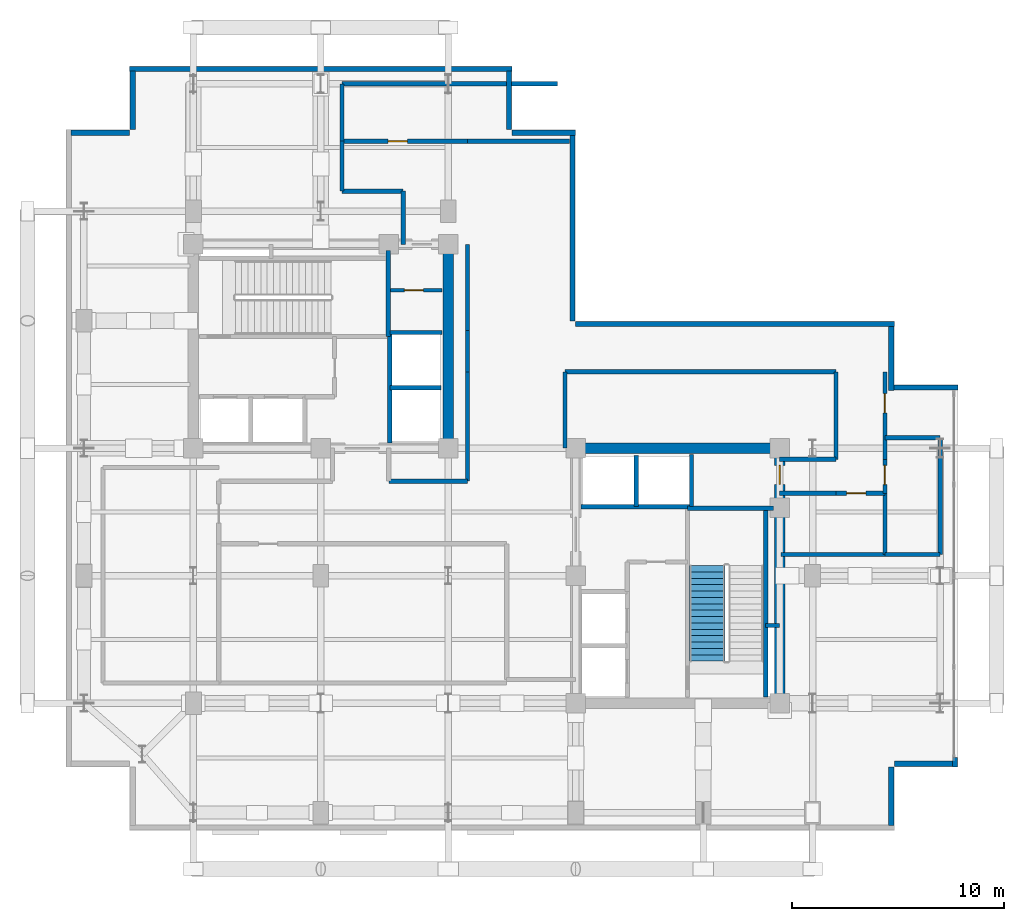
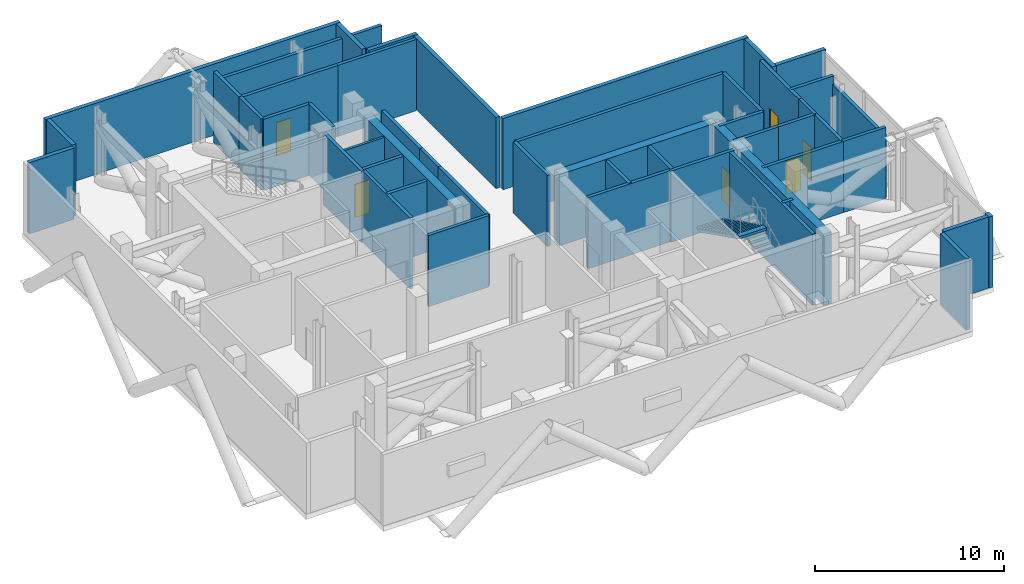
# One storey, part 6 of 8: 50 walls, 6 doors, 1 stair flight, 6 openings, 1 element without a shape of its own.
"""IFC4 building model written with IfcOpenShell, lengths in metres."""

from ifc_helpers import new_model, si_unit, direction, frame, frame_2d, origin, place, context, subcontext, project, spatial, polyline, rectangle, outline, extrude, material, layer, layer_set, type_object, element, fill, aggregate, save


model = new_model("IFC4")

# Units and contexts
model_context = context("Model", 3, precision=1e-05, world=origin(), true_north=direction((0.0, 1.0)))
body_context = subcontext(model_context, "Body", "Model", "MODEL_VIEW")
ifc_project = project(units=[si_unit("LENGTHUNIT", "METRE"), si_unit("AREAUNIT", "SQUARE_METRE"), si_unit("VOLUMEUNIT", "CUBIC_METRE"), si_unit("PLANEANGLEUNIT", "RADIAN"), si_unit("MASSUNIT", "GRAM", prefix="KILO"), si_unit("THERMODYNAMICTEMPERATUREUNIT", "KELVIN"), si_unit("POWERUNIT", "WATT")], contexts=[model_context])

# Site, building, storey
site_placement = place(None, origin())
site = spatial("IfcSite", under=ifc_project, at=site_placement, CompositionType="ELEMENT")
building_placement = place(site_placement, origin())
building = spatial("IfcBuilding", under=site, at=building_placement, Name="Svarakhadi Broadcast Tower", CompositionType="ELEMENT")
storey_placement = place(building_placement, frame((0.0, 0.0, 234.89990234375)))
storey = spatial("IfcBuildingStorey", under=building, at=storey_placement, Name="L58", CompositionType="ELEMENT", Elevation=234.89990234375)

# Walls
ifc_material_1 = material(Name="Concrete C40/50 (IS 456 M50)", Category="concrete")
ifc_layer_1 = layer(ifc_material_1, 0.239990234375)
ifc_layer_set_1 = layer_set([ifc_layer_1], Name="Concrete C40/50 (IS 456 M50)")
wall_type_1 = type_object("IfcWallType", Name="Wall_Ext_240", PredefinedType="SOLIDWALL", material=ifc_layer_set_1)
wall_1_placement = place(storey_placement, frame((3.0, 35.85009765625, 0.0), z_axis=(0.0, 0.0, 1.0), x_axis=(1.0, 0.0, 0.0)))
element("IfcWall", 1, at=wall_1_placement, inside=storey, type_object=wall_type_1, Name="L58 North Mechanical Acoustic Plant Wall", PredefinedType="SOLIDWALL", context=body_context, shape_type="SweptSolid", body=[
    extrude(rectangle(XDim=18.0, YDim=0.239990234375, at=frame_2d((9.0, 0.0))), origin(), (0.0, 0.0, 1.0), 4.60009765625),
])
for number, where, z_axis, x_axis, name in (
    (2, (0.2548828125, 32.85009765625, 0.0), (0.0, 0.0, 1.0), (1.0, 0.0, 0.0), "L58 Perimeter Bronze Spandrel Closure Wall 02"),
    (3, (3.14990234375, 33.0, 0.0), (0.0, 0.0, 1.0), (0.0, 1.0, 0.0), "L58 Perimeter Bronze Spandrel Closure Wall 03"),
    (4, (20.85009765625, 35.7451171875, 0.0), (0.0, 0.0, 1.0), (0.0, -1.0, 0.0), "L58 Perimeter Bronze Spandrel Closure Wall 04"),
):
    element("IfcWall", number, at=place(storey_placement, frame(where, z_axis=z_axis, x_axis=x_axis)), inside=storey, type_object=wall_type_1, Name=name, PredefinedType="SOLIDWALL", context=body_context, shape_type="SweptSolid", body=[
        extrude(rectangle(XDim=2.7451171875, YDim=0.239990234375, at=frame_2d((1.37255859375, 0.0))), origin(), (0.0, 0.0, 1.0), 4.60009765625),
    ])
wall_2_placement = place(storey_placement, frame((21.0, 32.85009765625, 0.0), z_axis=(0.0, 0.0, 1.0), x_axis=(1.0, 0.0, 0.0)))
element("IfcWall", 5, at=wall_2_placement, inside=storey, type_object=wall_type_1, Name="L58 Perimeter Bronze Spandrel Closure Wall 05", PredefinedType="SOLIDWALL", context=body_context, shape_type="SweptSolid", body=[
    extrude(rectangle(XDim=3.0, YDim=0.239990234375, at=frame_2d((1.5, 0.0))), origin(), (0.0, 0.0, 1.0), 4.60009765625),
])
wall_3_placement = place(storey_placement, frame((23.85009765625, 32.72509765625, 0.0), z_axis=(0.0, 0.0, 1.0), x_axis=(0.0, -1.0, 0.0)))
element("IfcWall", 6, at=wall_3_placement, inside=storey, type_object=wall_type_1, Name="L58 Perimeter Bronze Spandrel Closure Wall 06", PredefinedType="SOLIDWALL", context=body_context, shape_type="SweptSolid", body=[
    extrude(rectangle(XDim=8.72509765625, YDim=0.239990234375, at=frame_2d((4.362548828125, 0.0))), origin(), (0.0, 0.0, 1.0), 4.60009765625),
])
wall_4_placement = place(storey_placement, frame((24.0, 23.85009765625, 0.0), z_axis=(0.0, 0.0, 1.0), x_axis=(1.0, 0.0, 0.0)))
element("IfcWall", 7, at=wall_4_placement, inside=storey, type_object=wall_type_1, Name="L58 Perimeter Bronze Spandrel Closure Wall 07", PredefinedType="SOLIDWALL", context=body_context, shape_type="SweptSolid", body=[
    extrude(rectangle(XDim=15.0, YDim=0.239990234375, at=frame_2d((7.5, 0.0))), origin(), (0.0, 0.0, 1.0), 4.60009765625),
])
wall_5_placement = place(storey_placement, frame((38.85009765625, 23.72509765625, 0.0), z_axis=(0.0, 0.0, 1.0), x_axis=(0.0, -1.0, 0.0)))
element("IfcWall", 8, at=wall_5_placement, inside=storey, type_object=wall_type_1, Name="L58 Perimeter Bronze Spandrel Closure Wall 08", PredefinedType="SOLIDWALL", context=body_context, shape_type="SweptSolid", body=[
    extrude(rectangle(XDim=2.9951171875, YDim=0.239990234375, at=frame_2d((1.49755859375, 0.0))), origin(), (0.0, 0.0, 1.0), 4.60009765625),
])
wall_6_placement = place(storey_placement, frame((38.969970703125, 20.85009765625, 0.0), z_axis=(0.0, 0.0, 1.0), x_axis=(1.0, 0.0, 0.0)))
element("IfcWall", 9, at=wall_6_placement, inside=storey, type_object=wall_type_1, Name="L58 Perimeter Bronze Spandrel Closure Wall 09", PredefinedType="SOLIDWALL", context=body_context, shape_type="SweptSolid", body=[
    extrude(rectangle(XDim=3.030029296875, YDim=0.239990234375, at=frame_2d((1.51513671875, 0.0))), origin(), (0.0, 0.0, 1.0), 4.60009765625),
])
wall_7_placement = place(storey_placement, frame((41.85009765625, 3.43505859375, 0.0), z_axis=(0.0, 0.0, 1.0), x_axis=(0.0, -1.0, 0.0)))
element("IfcWall", 10, at=wall_7_placement, inside=storey, type_object=wall_type_1, Name="L58 Perimeter Bronze Spandrel Closure Wall 10", PredefinedType="SOLIDWALL", context=body_context, shape_type="SweptSolid", body=[
    extrude(rectangle(XDim=0.43505859375, YDim=0.239990234375, at=frame_2d((0.217529296875, 0.0))), origin(), (0.0, 0.0, 1.0), 4.60009765625),
])
wall_8_placement = place(storey_placement, frame((41.72509765625, 3.14990234375, 0.0), z_axis=(0.0, 0.0, 1.0), x_axis=(-1.0, 0.0, 0.0)))
element("IfcWall", 11, at=wall_8_placement, inside=storey, type_object=wall_type_1, Name="L58 Perimeter Bronze Spandrel Closure Wall 11", PredefinedType="SOLIDWALL", context=body_context, shape_type="SweptSolid", body=[
    extrude(rectangle(XDim=2.72509765625, YDim=0.239990234375, at=frame_2d((1.362548828125, 0.0))), origin(), (0.0, 0.0, 1.0), 4.60009765625),
])
wall_9_placement = place(storey_placement, frame((38.85009765625, 3.0, 0.0), z_axis=(0.0, 0.0, 1.0), x_axis=(0.0, -1.0, 0.0)))
element("IfcWall", 12, at=wall_9_placement, inside=storey, type_object=wall_type_1, Name="L58 Perimeter Bronze Spandrel Closure Wall 12", PredefinedType="SOLIDWALL", context=body_context, shape_type="SweptSolid", body=[
    extrude(rectangle(XDim=2.7451171875, YDim=0.239990234375, at=frame_2d((1.37255859375, 0.0))), origin(), (0.0, 0.0, 1.0), 4.60009765625),
])
ifc_layer_2 = layer(ifc_material_1, 0.199951171875)
ifc_layer_set_2 = layer_set([ifc_layer_2], Name="Concrete C40/50 (IS 456 M50)")
wall_type_2 = type_object("IfcWallType", Name="Wall_Fire_200", PredefinedType="SOLIDWALL", material=ifc_layer_set_2)
wall_10_placement = place(storey_placement, frame((32.93994140625, 9.659912109375, 0.0), z_axis=(0.0, 0.0, 1.0), x_axis=(1.0, 0.0, 0.0)))
element("IfcWall", 13, at=wall_10_placement, inside=storey, type_object=wall_type_2, Name="L58 HV Busduct Riser Shaft North Wall", PredefinedType="SOLIDWALL", context=body_context, shape_type="SweptSolid", body=[
    extrude(rectangle(XDim=0.64013671875, YDim=0.199951171875, at=frame_2d((0.320068359375, 0.0))), origin(), (0.0, 0.0, 1.0), 4.60009765625),
])
wall_11_placement = place(storey_placement, frame((15.199951171875, 16.449951171875, 0.0), z_axis=(0.0, 0.0, 1.0), x_axis=(1.0, 0.0, 0.0)))
element("IfcWall", 14, at=wall_11_placement, inside=storey, type_object=wall_type_2, Name="L58 Plant Service Corridor Wall", PredefinedType="SOLIDWALL", context=body_context, shape_type="SweptSolid", body=[
    extrude(rectangle(XDim=3.699951171875, YDim=0.199951171875, at=frame_2d((1.85009765625, 0.0))), origin(), (0.0, 0.0, 1.0), 4.60009765625),
])
wall_12_placement = place(storey_placement, frame((18.89990234375, 16.449951171875, 0.0), z_axis=(0.0, 0.0, 1.0), x_axis=(0.0, 1.0, 0.0)))
element("IfcWall", 15, at=wall_12_placement, inside=storey, type_object=wall_type_2, Name="L58 Plant Service Corridor Wall", PredefinedType="SOLIDWALL", context=body_context, shape_type="SweptSolid", body=[
    extrude(rectangle(XDim=5.150146484375, YDim=0.199951171875, at=frame_2d((2.5751953125, 0.0))), origin(), (0.0, 0.0, 1.0), 4.60009765625),
])
wall_13_placement = place(storey_placement, frame((18.89990234375, 21.60009765625, 0.0), z_axis=(0.0, 0.0, 1.0), x_axis=(0.0, 1.0, 0.0)))
element("IfcWall", 16, at=wall_13_placement, inside=storey, type_object=wall_type_2, Name="L58 Plant Service Corridor Wall", PredefinedType="SOLIDWALL", context=body_context, shape_type="SweptSolid", body=[
    extrude(rectangle(XDim=1.949951171875, YDim=0.199951171875, at=frame_2d((0.97509765625, 0.0))), origin(), (0.0, 0.0, 1.0), 4.60009765625),
])
wall_14_placement = place(storey_placement, frame((18.89990234375, 23.550048828125, 0.0), z_axis=(0.0, 0.0, 1.0), x_axis=(0.0, 1.0, 0.0)))
element("IfcWall", 17, at=wall_14_placement, inside=storey, type_object=wall_type_2, Name="L58 Plant Service Corridor Wall", PredefinedType="SOLIDWALL", context=body_context, shape_type="SweptSolid", body=[
    extrude(rectangle(XDim=4.030029296875, YDim=0.199951171875, at=frame_2d((2.01513671875, 0.0))), origin(), (0.0, 0.0, 1.0), 4.60009765625),
])
wall_15_placement = place(storey_placement, frame((15.8798828125, 27.580078125, 0.0), z_axis=(0.0, 0.0, 1.0), x_axis=(0.0, 1.0, 0.0)))
element("IfcWall", 18, at=wall_15_placement, inside=storey, type_object=wall_type_2, Name="L58 Plant Service Corridor Wall", PredefinedType="SOLIDWALL", context=body_context, shape_type="SweptSolid", body=[
    extrude(rectangle(XDim=2.52001953125, YDim=0.199951171875, at=frame_2d((1.260009765625, 0.0))), origin(), (0.0, 0.0, 1.0), 4.60009765625),
])
wall_16_placement = place(storey_placement, frame((15.8798828125, 30.10009765625, 0.0), z_axis=(0.0, 0.0, 1.0), x_axis=(-1.0, 0.0, 0.0)))
element("IfcWall", 19, at=wall_16_placement, inside=storey, type_object=wall_type_2, Name="L58 Plant Service Corridor Wall", PredefinedType="SOLIDWALL", context=body_context, shape_type="SweptSolid", body=[
    extrude(rectangle(XDim=2.8798828125, YDim=0.199951171875, at=frame_2d((1.43994140625, 0.0))), origin(), (0.0, 0.0, 1.0), 4.60009765625),
])
wall_17_placement = place(storey_placement, frame((13.0, 30.10009765625, 0.0), z_axis=(0.0, 0.0, 1.0), x_axis=(0.0, 1.0, 0.0)))
element("IfcWall", 20, at=wall_17_placement, inside=storey, type_object=wall_type_2, Name="L58 Plant Service Corridor Wall", PredefinedType="SOLIDWALL", context=body_context, shape_type="SweptSolid", body=[
    extrude(rectangle(XDim=2.349853515625, YDim=0.199951171875, at=frame_2d((1.1748046875, 0.0))), origin(), (0.0, 0.0, 1.0), 4.60009765625),
])

# Wall, opening, door
wall_18_placement = place(storey_placement, frame((13.0, 32.449951171875, 0.0), z_axis=(0.0, 0.0, 1.0), x_axis=(1.0, 0.0, 0.0)))
wall_18 = element("IfcWall", 21, at=wall_18_placement, inside=storey, type_object=wall_type_2, Name="L58 Plant Service Corridor Wall", PredefinedType="SOLIDWALL", context=body_context, shape_type="SweptSolid", body=[
    extrude(rectangle(XDim=5.89990234375, YDim=0.199951171875, at=frame_2d((2.949951171875, 0.0))), origin(), (0.0, 0.0, 1.0), 4.60009765625),
])
opening_1_placement = place(wall_18_placement, frame((2.175048828125, 0.0, 0.0)))
opening_1 = element("IfcOpeningElement", 22, at=opening_1_placement, cuts=wall_18, Name="Opening D-03", PredefinedType="OPENING", context=body_context, shape_type="SweptSolid", body=[
    extrude(rectangle(XDim=0.89990234375, YDim=2.14990234375, at=frame_2d((0.449951171875, 1.074951171875))), frame((0.0, 0.10986328125, 0.0), z_axis=(0.0, -1.0, 0.0), x_axis=(1.0, 0.0, 0.0)), (0.0, 0.0, 1.0), 0.219970703125),
])
ifc_material_2 = material(Name="Galvanised Powder-Coated Fire-Rated Steel Leaf", Category="steel")
door_type_1 = type_object("IfcDoorType", Name="Door_Fire_D03", OperationType="SINGLE_SWING_LEFT", PredefinedType="DOOR", material=ifc_material_2)
door_1_placement = place(opening_1_placement, origin())
door_1 = element("IfcDoor", 23, at=door_1_placement, inside=storey, type_object=door_type_1, Name="L58 Pressurised Fire Refuge Area North Door", OperationType="SINGLE_SWING_LEFT", OverallHeight=2.14990234375, OverallWidth=0.89990234375, PredefinedType="DOOR", context=body_context, shape_type="SweptSolid", body=[
    extrude(rectangle(XDim=0.89990234375, YDim=2.14990234375, at=frame_2d((0.449951171875, 1.074951171875))), frame((0.0, 0.02490234375, 0.0), z_axis=(0.0, -1.0, 0.0), x_axis=(1.0, 0.0, 0.0)), (0.0, 0.0, 1.0), 0.050048828125),
])
fill(opening_1, door_1)

# Wall
wall_19_placement = place(storey_placement, frame((18.89990234375, 32.449951171875, 0.0), z_axis=(0.0, 0.0, 1.0), x_axis=(1.0, 0.0, 0.0)))
element("IfcWall", 24, at=wall_19_placement, inside=storey, type_object=wall_type_2, Name="L58 Plant Service Corridor Wall", PredefinedType="SOLIDWALL", context=body_context, shape_type="SweptSolid", body=[
    extrude(rectangle(XDim=4.800048828125, YDim=0.199951171875, at=frame_2d((2.39990234375, 0.0))), origin(), (0.0, 0.0, 1.0), 4.60009765625),
])

# Wall, opening, door
wall_20_placement = place(storey_placement, frame((38.550048828125, 21.60009765625, 0.0), z_axis=(0.0, 0.0, 1.0), x_axis=(0.0, -1.0, 0.0)))
wall_20 = element("IfcWall", 25, at=wall_20_placement, inside=storey, type_object=wall_type_2, Name="L58 Plant Service Corridor Wall", PredefinedType="SOLIDWALL", context=body_context, shape_type="SweptSolid", body=[
    extrude(rectangle(XDim=4.1201171875, YDim=0.199951171875, at=frame_2d((2.06005859375, 0.0))), origin(), (0.0, 0.0, 1.0), 4.60009765625),
])
opening_2_placement = place(wall_20_placement, frame((1.030029296875, 0.0, 0.0)))
opening_2 = element("IfcOpeningElement", 26, at=opening_2_placement, cuts=wall_20, Name="Opening D-04", PredefinedType="OPENING", context=body_context, shape_type="SweptSolid", body=[
    extrude(rectangle(XDim=0.89990234375, YDim=2.14990234375, at=frame_2d((0.449951171875, 1.074951171875))), frame((0.0, 0.10986328125, 0.0), z_axis=(0.0, -1.0, 0.0), x_axis=(1.0, 0.0, 0.0)), (0.0, 0.0, 1.0), 0.219970703125),
])
door_type_2 = type_object("IfcDoorType", Name="Door_Fire_D04", OperationType="SINGLE_SWING_RIGHT", PredefinedType="DOOR", material=ifc_material_2)
door_2_placement = place(opening_2_placement, origin())
door_2 = element("IfcDoor", 27, at=door_2_placement, inside=storey, type_object=door_type_2, Name="L58 Chilled Water Plate Heat Exchanger Plant Room Door", OperationType="SINGLE_SWING_RIGHT", OverallHeight=2.14990234375, OverallWidth=0.89990234375, PredefinedType="DOOR", context=body_context, shape_type="SweptSolid", body=[
    extrude(rectangle(XDim=0.89990234375, YDim=2.14990234375, at=frame_2d((0.449951171875, 1.074951171875))), frame((0.0, 0.02490234375, 0.0), z_axis=(0.0, -1.0, 0.0), x_axis=(1.0, 0.0, 0.0)), (0.0, 0.0, 1.0), 0.050048828125),
])
fill(opening_2, door_2)

wall_21_placement = place(storey_placement, frame((38.550048828125, 17.47998046875, 0.0), z_axis=(0.0, 0.0, 1.0), x_axis=(0.0, -1.0, 0.0)))
wall_21 = element("IfcWall", 28, at=wall_21_placement, inside=storey, type_object=wall_type_2, Name="L58 Plant Service Corridor Wall", PredefinedType="SOLIDWALL", context=body_context, shape_type="SweptSolid", body=[
    extrude(rectangle(XDim=1.60009765625, YDim=0.199951171875, at=frame_2d((0.800048828125, 0.0))), origin(), (0.0, 0.0, 1.0), 4.60009765625),
])
opening_3_placement = place(wall_21_placement, frame((0.2900390625, 0.0, 0.0)))
opening_3 = element("IfcOpeningElement", 29, at=opening_3_placement, cuts=wall_21, Name="Opening D-03", PredefinedType="OPENING", context=body_context, shape_type="SweptSolid", body=[
    extrude(rectangle(XDim=0.89990234375, YDim=2.14990234375, at=frame_2d((0.449951171875, 1.074951171875))), frame((0.0, 0.10986328125, 0.0), z_axis=(0.0, -1.0, 0.0), x_axis=(1.0, 0.0, 0.0)), (0.0, 0.0, 1.0), 0.219970703125),
])
door_3_placement = place(opening_3_placement, origin())
door_3 = element("IfcDoor", 30, at=door_3_placement, inside=storey, type_object=door_type_1, Name="L58 Pressurised Fire Refuge Area East Door", OperationType="SINGLE_SWING_LEFT", OverallHeight=2.14990234375, OverallWidth=0.89990234375, PredefinedType="DOOR", context=body_context, shape_type="SweptSolid", body=[
    extrude(rectangle(XDim=0.89990234375, YDim=2.14990234375, at=frame_2d((0.449951171875, 1.074951171875))), frame((0.0, 0.02490234375, 0.0), z_axis=(0.0, -1.0, 0.0), x_axis=(1.0, 0.0, 0.0)), (0.0, 0.0, 1.0), 0.050048828125),
])
fill(opening_3, door_3)

wall_22_placement = place(storey_placement, frame((38.550048828125, 15.8798828125, 0.0), z_axis=(0.0, 0.0, 1.0), x_axis=(-1.0, 0.0, 0.0)))
wall_22 = element("IfcWall", 31, at=wall_22_placement, inside=storey, type_object=wall_type_2, Name="L58 Plant Service Corridor Wall", PredefinedType="SOLIDWALL", context=body_context, shape_type="SweptSolid", body=[
    extrude(rectangle(XDim=2.300048828125, YDim=0.199951171875, at=frame_2d((1.14990234375, 0.0))), origin(), (0.0, 0.0, 1.0), 4.60009765625),
])
opening_4_placement = place(wall_22_placement, frame((0.89990234375, 0.0, 0.0)))
opening_4 = element("IfcOpeningElement", 32, at=opening_4_placement, cuts=wall_22, Name="Opening D-04", PredefinedType="OPENING", context=body_context, shape_type="SweptSolid", body=[
    extrude(rectangle(XDim=0.89990234375, YDim=2.14990234375, at=frame_2d((0.449951171875, 1.074951171875))), frame((0.0, 0.10986328125, 0.0), z_axis=(0.0, -1.0, 0.0), x_axis=(1.0, 0.0, 0.0)), (0.0, 0.0, 1.0), 0.219970703125),
])
door_4_placement = place(opening_4_placement, origin())
door_4 = element("IfcDoor", 33, at=door_4_placement, inside=storey, type_object=door_type_2, Name="L58 Stairwell Pressurisation Fan Plant Room Door", OperationType="SINGLE_SWING_RIGHT", OverallHeight=2.14990234375, OverallWidth=0.89990234375, PredefinedType="DOOR", context=body_context, shape_type="SweptSolid", body=[
    extrude(rectangle(XDim=0.89990234375, YDim=2.14990234375, at=frame_2d((0.449951171875, 1.074951171875))), frame((0.0, 0.02490234375, 0.0), z_axis=(0.0, -1.0, 0.0), x_axis=(1.0, 0.0, 0.0)), (0.0, 0.0, 1.0), 0.050048828125),
])
fill(opening_4, door_4)

# Walls
for number, where, z_axis, x_axis, name in (
    (34, (36.25, 15.8798828125, 0.0), (0.0, 0.0, 1.0), (-1.0, 0.0, 0.0), "L58 Plant Service Corridor Wall"),
    (35, (33.580078125, 17.47998046875, 0.0), (0.0, 0.0, 1.0), (1.0, 0.0, 0.0), "L58 Plant Service Corridor Wall"),
):
    element("IfcWall", number, at=place(storey_placement, frame(where, z_axis=z_axis, x_axis=x_axis)), inside=storey, type_object=wall_type_2, Name=name, PredefinedType="SOLIDWALL", context=body_context, shape_type="SweptSolid", body=[
        extrude(rectangle(XDim=2.669921875, YDim=0.199951171875, at=frame_2d((1.3349609375, 0.0))), origin(), (0.0, 0.0, 1.0), 4.60009765625),
    ])
wall_23_placement = place(storey_placement, frame((36.25, 17.47998046875, 0.0), z_axis=(0.0, 0.0, 1.0), x_axis=(0.0, 1.0, 0.0)))
element("IfcWall", 36, at=wall_23_placement, inside=storey, type_object=wall_type_2, Name="L58 Plant Service Corridor Wall", PredefinedType="SOLIDWALL", context=body_context, shape_type="SweptSolid", body=[
    extrude(rectangle(XDim=4.1201171875, YDim=0.199951171875, at=frame_2d((2.06005859375, 0.0))), origin(), (0.0, 0.0, 1.0), 4.60009765625),
])
wall_24_placement = place(storey_placement, frame((36.25, 21.60009765625, 0.0), z_axis=(0.0, 0.0, 1.0), x_axis=(-1.0, 0.0, 0.0)))
element("IfcWall", 37, at=wall_24_placement, inside=storey, type_object=wall_type_2, Name="L58 Plant Service Corridor Wall", PredefinedType="SOLIDWALL", context=body_context, shape_type="SweptSolid", body=[
    extrude(rectangle(XDim=12.75, YDim=0.199951171875, at=frame_2d((6.375, 0.0))), origin(), (0.0, 0.0, 1.0), 4.60009765625),
])
wall_25_placement = place(storey_placement, frame((23.5, 21.60009765625, 0.0), z_axis=(0.0, 0.0, 1.0), x_axis=(0.0, -1.0, 0.0)))
element("IfcWall", 38, at=wall_25_placement, inside=storey, type_object=wall_type_2, Name="L58 Plant Service Corridor Wall", PredefinedType="SOLIDWALL", context=body_context, shape_type="SweptSolid", body=[
    extrude(rectangle(XDim=3.580078125, YDim=0.199951171875, at=frame_2d((1.7900390625, 0.0))), origin(), (0.0, 0.0, 1.0), 4.60009765625),
])
for number, where, z_axis, x_axis, name in (
    (39, (38.550048828125, 13.0, 0.0), (0.0, 0.0, 1.0), (1.0, 0.0, 0.0), "L58 Pressurised Fire Refuge Area East Wall"),
    (40, (38.550048828125, 18.5, 0.0), (0.0, 0.0, 1.0), (1.0, 0.0, 0.0), "L58 Pressurised Fire Refuge Area East Wall"),
):
    element("IfcWall", number, at=place(storey_placement, frame(where, z_axis=z_axis, x_axis=x_axis)), inside=storey, type_object=wall_type_2, Name=name, PredefinedType="SOLIDWALL", context=body_context, shape_type="SweptSolid", body=[
        extrude(rectangle(XDim=2.599853515625, YDim=0.199951171875, at=frame_2d((1.2998046875, 0.0))), origin(), (0.0, 0.0, 1.0), 4.60009765625),
    ])
wall_26_placement = place(storey_placement, frame((41.14990234375, 13.0, 0.0), z_axis=(0.0, 0.0, 1.0), x_axis=(0.0, 1.0, 0.0)))
element("IfcWall", 41, at=wall_26_placement, inside=storey, type_object=wall_type_2, Name="L58 Pressurised Fire Refuge Area East Wall", PredefinedType="SOLIDWALL", context=body_context, shape_type="SweptSolid", body=[
    extrude(rectangle(XDim=5.5, YDim=0.199951171875, at=frame_2d((2.75, 0.0))), origin(), (0.0, 0.0, 1.0), 4.052001953125),
])
wall_27_placement = place(storey_placement, frame((13.0, 35.14990234375, 0.0), z_axis=(0.0, 0.0, 1.0), x_axis=(1.0, 0.0, 0.0)))
element("IfcWall", 42, at=wall_27_placement, inside=storey, type_object=wall_type_2, Name="L58 Pressurised Fire Refuge Area North Wall", PredefinedType="SOLIDWALL", context=body_context, shape_type="SweptSolid", body=[
    extrude(rectangle(XDim=10.14990234375, YDim=0.199951171875, at=frame_2d((5.074951171875, 0.0))), origin(), (0.0, 0.0, 1.0), 4.052001953125),
])
wall_28_placement = place(storey_placement, frame((13.0, 32.449951171875, 0.0), z_axis=(0.0, 0.0, 1.0), x_axis=(0.0, 1.0, 0.0)))
element("IfcWall", 43, at=wall_28_placement, inside=storey, type_object=wall_type_2, Name="L58 Pressurised Fire Refuge Area North Wall", PredefinedType="SOLIDWALL", context=body_context, shape_type="SweptSolid", body=[
    extrude(rectangle(XDim=2.699951171875, YDim=0.199951171875, at=frame_2d((1.35009765625, 0.0))), origin(), (0.0, 0.0, 1.0), 4.60009765625),
])
wall_29_placement = place(storey_placement, frame((33.64990234375, 13.0, 0.0), z_axis=(0.0, 0.0, 1.0), x_axis=(1.0, 0.0, 0.0)))
element("IfcWall", 44, at=wall_29_placement, inside=storey, type_object=wall_type_2, Name="L58 Stairwell Pressurisation Fan Plant Room Wall", PredefinedType="SOLIDWALL", context=body_context, shape_type="SweptSolid", body=[
    extrude(rectangle(XDim=4.900146484375, YDim=0.199951171875, at=frame_2d((2.4501953125, 0.0))), origin(), (0.0, 0.0, 1.0), 4.60009765625),
])
wall_30_placement = place(storey_placement, frame((38.550048828125, 13.0, 0.0), z_axis=(0.0, 0.0, 1.0), x_axis=(0.0, 1.0, 0.0)))
element("IfcWall", 45, at=wall_30_placement, inside=storey, type_object=wall_type_2, Name="L58 Stairwell Pressurisation Fan Plant Room Wall", PredefinedType="SOLIDWALL", context=body_context, shape_type="SweptSolid", body=[
    extrude(rectangle(XDim=2.8798828125, YDim=0.199951171875, at=frame_2d((1.43994140625, 0.0))), origin(), (0.0, 0.0, 1.0), 4.60009765625),
])

# Wall, opening, door
ifc_material_3 = material(Name="Autoclaved Aerated Concrete Blockwork 150 mm", Category="masonry")
ifc_layer_3 = layer(ifc_material_3, 0.14990234375)
ifc_layer_set_3 = layer_set([ifc_layer_3], Name="Autoclaved Aerated Concrete Blockwork 150 mm")
wall_type_3 = type_object("IfcWallType", Name="Wall_Part_150", PredefinedType="PARTITIONING", material=ifc_layer_set_3)
wall_31_placement = place(storey_placement, frame((15.280029296875, 25.43994140625, 0.0), z_axis=(0.0, 0.0, 1.0), x_axis=(1.0, 0.0, 0.0)))
wall_31 = element("IfcWall", 46, at=wall_31_placement, inside=storey, type_object=wall_type_3, Name="L58 West Core Service Split Wall", PredefinedType="PARTITIONING", context=body_context, shape_type="SweptSolid", body=[
    extrude(rectangle(XDim=2.419921875, YDim=0.14990234375, at=frame_2d((1.2099609375, 0.0))), origin(), (0.0, 0.0, 1.0), 4.60009765625),
])
opening_5_placement = place(wall_31_placement, frame((0.64990234375, 0.0, 0.0)))
opening_5 = element("IfcOpeningElement", 47, at=opening_5_placement, cuts=wall_31, Name="Opening D-04", PredefinedType="OPENING", context=body_context, shape_type="SweptSolid", body=[
    extrude(rectangle(XDim=0.89990234375, YDim=2.14990234375, at=frame_2d((0.449951171875, 1.074951171875))), frame((0.0, 0.0849609375, 0.0), z_axis=(0.0, -1.0, 0.0), x_axis=(1.0, 0.0, 0.0)), (0.0, 0.0, 1.0), 0.169921875),
])
door_5_placement = place(opening_5_placement, origin())
door_5 = element("IfcDoor", 48, at=door_5_placement, inside=storey, type_object=door_type_2, Name="L58 West Core Inner Store Door", OperationType="SINGLE_SWING_RIGHT", OverallHeight=2.14990234375, OverallWidth=0.89990234375, PredefinedType="DOOR", context=body_context, shape_type="SweptSolid", body=[
    extrude(rectangle(XDim=0.89990234375, YDim=2.14990234375, at=frame_2d((0.449951171875, 1.074951171875))), frame((0.0, 0.02490234375, 0.0), z_axis=(0.0, -1.0, 0.0), x_axis=(1.0, 0.0, 0.0)), (0.0, 0.0, 1.0), 0.050048828125),
])
fill(opening_5, door_5)

# Walls
ifc_material_4 = material(Name="Concrete C50/60 (IS 456 M60)", Category="concrete")
ifc_layer_4 = layer(ifc_material_4, 0.199951171875)
ifc_layer_set_4 = layer_set([ifc_layer_4], Name="Concrete C50/60 (IS 456 M60)")
wall_type_4 = type_object("IfcWallType", Name="Wall_Shear_200", PredefinedType="SHEAR", material=ifc_layer_set_4)
wall_32_placement = place(storey_placement, frame((15.179931640625, 23.260009765625, 0.0), z_axis=(0.0, 0.0, 1.0), x_axis=(0.0, 1.0, 0.0)))
element("IfcWall", 49, at=wall_32_placement, inside=storey, type_object=wall_type_4, Name="L58 Stair ST-01 East RC Shaft Wall", PredefinedType="SHEAR", context=body_context, shape_type="SweptSolid", body=[
    extrude(rectangle(XDim=4.0400390625, YDim=0.199951171875, at=frame_2d((2.02001953125, 0.0))), origin(), (0.0, 0.0, 1.0), 4.60009765625),
])
wall_33_placement = place(storey_placement, frame((32.93994140625, 6.300048828125, 0.0), z_axis=(0.0, 0.0, 1.0), x_axis=(0.0, 1.0, 0.0)))
element("IfcWall", 50, at=wall_33_placement, inside=storey, type_object=wall_type_4, Name="L58 Stair ST-02 East RC Shaft Wall", PredefinedType="SHEAR", context=body_context, shape_type="SweptSolid", body=[
    extrude(rectangle(XDim=8.8798828125, YDim=0.199951171875, at=frame_2d((4.43994140625, 0.0))), origin(), (0.0, 0.0, 1.0), 4.60009765625),
])
wall_34_placement = place(storey_placement, frame((29.260009765625, 15.179931640625, 0.0), z_axis=(0.0, 0.0, 1.0), x_axis=(1.0, 0.0, 0.0)))
element("IfcWall", 51, at=wall_34_placement, inside=storey, type_object=wall_type_4, Name="L58 Stair ST-02 North RC Shaft Wall", PredefinedType="SHEAR", context=body_context, shape_type="SweptSolid", body=[
    extrude(rectangle(XDim=4.0400390625, YDim=0.199951171875, at=frame_2d((2.02001953125, 0.0))), origin(), (0.0, 0.0, 1.0), 4.60009765625),
])
wall_35_placement = place(storey_placement, frame((15.25, 18.25, 0.0), z_axis=(0.0, 0.0, 1.0), x_axis=(0.0, 1.0, 0.0)))
element("IfcWall", 52, at=wall_35_placement, inside=storey, type_object=wall_type_4, Name="L58 High-Rise Lift LF-13/14 West Shaft Wall", PredefinedType="SHEAR", context=body_context, shape_type="SweptSolid", body=[
    extrude(rectangle(XDim=5.199951171875, YDim=0.199951171875, at=frame_2d((2.60009765625, 0.0))), origin(), (0.0, 0.0, 1.0), 4.60009765625),
])
wall_36_placement = place(storey_placement, frame((15.25, 20.85009765625, 0.0), z_axis=(0.0, 0.0, 1.0), x_axis=(1.0, 0.0, 0.0)))
element("IfcWall", 53, at=wall_36_placement, inside=storey, type_object=wall_type_4, Name="L58 High-Rise Lift LF-13/14 Divider", PredefinedType="SHEAR", context=body_context, shape_type="SweptSolid", body=[
    extrude(rectangle(XDim=2.39990234375, YDim=0.199951171875, at=frame_2d((1.199951171875, 0.0))), origin(), (0.0, 0.0, 1.0), 4.60009765625),
])
wall_37_placement = place(storey_placement, frame((15.25, 23.449951171875, 0.0), z_axis=(0.0, 0.0, 1.0), x_axis=(1.0, 0.0, 0.0)))
element("IfcWall", 54, at=wall_37_placement, inside=storey, type_object=wall_type_4, Name="L58 High-Rise Lift LF-13/14 North Wall", PredefinedType="SHEAR", context=body_context, shape_type="SweptSolid", body=[
    extrude(rectangle(XDim=2.449951171875, YDim=0.199951171875, at=frame_2d((1.22509765625, 0.0))), origin(), (0.0, 0.0, 1.0), 4.60009765625),
])
wall_38_placement = place(storey_placement, frame((24.25, 15.25, 0.0), z_axis=(0.0, 0.0, 1.0), x_axis=(1.0, 0.0, 0.0)))
element("IfcWall", 55, at=wall_38_placement, inside=storey, type_object=wall_type_4, Name="L58 High-Rise Lift LF-15/16 South Shaft Wall", PredefinedType="SHEAR", context=body_context, shape_type="SweptSolid", body=[
    extrude(rectangle(XDim=5.199951171875, YDim=0.199951171875, at=frame_2d((2.60009765625, 0.0))), origin(), (0.0, 0.0, 1.0), 4.60009765625),
])
wall_39_placement = place(storey_placement, frame((26.85009765625, 15.25, 0.0), z_axis=(0.0, 0.0, 1.0), x_axis=(0.0, 1.0, 0.0)))
element("IfcWall", 56, at=wall_39_placement, inside=storey, type_object=wall_type_4, Name="L58 High-Rise Lift LF-15/16 Divider", PredefinedType="SHEAR", context=body_context, shape_type="SweptSolid", body=[
    extrude(rectangle(XDim=2.39990234375, YDim=0.199951171875, at=frame_2d((1.199951171875, 0.0))), origin(), (0.0, 0.0, 1.0), 4.60009765625),
])
wall_40_placement = place(storey_placement, frame((29.449951171875, 15.25, 0.0), z_axis=(0.0, 0.0, 1.0), x_axis=(0.0, 1.0, 0.0)))
element("IfcWall", 57, at=wall_40_placement, inside=storey, type_object=wall_type_4, Name="L58 High-Rise Lift LF-15/16 East Wall", PredefinedType="SHEAR", context=body_context, shape_type="SweptSolid", body=[
    extrude(rectangle(XDim=2.449951171875, YDim=0.199951171875, at=frame_2d((1.22509765625, 0.0))), origin(), (0.0, 0.0, 1.0), 4.60009765625),
])
ifc_layer_5 = layer(ifc_material_4, 0.5)
ifc_layer_set_5 = layer_set([ifc_layer_5], Name="Concrete C50/60 (IS 456 M60)")
wall_type_5 = type_object("IfcWallType", Name="Wall_Shear_500", PredefinedType="SHEAR", material=ifc_layer_set_5)
for number, where, z_axis, x_axis, name in (
    (58, (18.0, 18.0, 0.0), (0.0, 0.0, 1.0), (0.0, 1.0, 0.0), "L58 West Core East Shear Wall"),
    (59, (24.0, 18.0, 0.0), (0.0, 0.0, 1.0), (1.0, 0.0, 0.0), "L58 East Core North Shear Wall"),
):
    element("IfcWall", number, at=place(storey_placement, frame(where, z_axis=z_axis, x_axis=x_axis)), inside=storey, type_object=wall_type_5, Name=name, PredefinedType="SHEAR", context=body_context, shape_type="SweptSolid", body=[
        extrude(rectangle(XDim=9.60009765625, YDim=0.5, at=frame_2d((4.800048828125, 0.0))), origin(), (0.0, 0.0, 1.0), 4.60009765625),
    ])

# Wall, opening, door
wall_41_placement = place(storey_placement, frame((33.60009765625, 6.0, 0.0), z_axis=(0.0, 0.0, 1.0), x_axis=(0.0, 1.0, 0.0)))
wall_41 = element("IfcWall", 60, at=wall_41_placement, inside=storey, type_object=wall_type_5, Name="L58 East Core East Shear Wall", PredefinedType="SHEAR", context=body_context, shape_type="SweptSolid", body=[
    extrude(rectangle(XDim=12.0, YDim=0.5, at=frame_2d((6.0, 0.0))), origin(), (0.0, 0.0, 1.0), 4.60009765625),
])
opening_6_placement = place(wall_41_placement, frame((10.300048828125, 0.0, 0.0)))
opening_6 = element("IfcOpeningElement", 61, at=opening_6_placement, cuts=wall_41, Name="Opening D-03", PredefinedType="OPENING", context=body_context, shape_type="SweptSolid", body=[
    extrude(rectangle(XDim=0.89990234375, YDim=2.14990234375, at=frame_2d((0.449951171875, 1.074951171875))), frame((0.0, 0.260009765625, 0.0), z_axis=(0.0, -1.0, 0.0), x_axis=(1.0, 0.0, 0.0)), (0.0, 0.0, 1.0), 0.52001953125),
])
door_6_placement = place(opening_6_placement, origin())
door_6 = element("IfcDoor", 62, at=door_6_placement, inside=storey, type_object=door_type_1, Name="L58 East Core Service Store Door", OperationType="SINGLE_SWING_LEFT", OverallHeight=2.14990234375, OverallWidth=0.89990234375, PredefinedType="DOOR", context=body_context, shape_type="SweptSolid", body=[
    extrude(rectangle(XDim=0.89990234375, YDim=2.14990234375, at=frame_2d((0.449951171875, 1.074951171875))), frame((0.0, 0.02490234375, 0.0), z_axis=(0.0, -1.0, 0.0), x_axis=(1.0, 0.0, 0.0)), (0.0, 0.0, 1.0), 0.050048828125),
])
fill(opening_6, door_6)

# Stair, stair flight
stair_type = type_object("IfcStairType", Name="Stair_Exit_Core", PredefinedType="HALF_TURN_STAIR", material=ifc_material_1)
stair_placement = place(storey_placement, origin())
stair = element("IfcStair", 63, at=stair_placement, inside=storey, type_object=stair_type, Name="L58 East Core Protected Exit Stair ST-02", PredefinedType="HALF_TURN_STAIR")
stair_flight_type = type_object("IfcStairFlightType", Name="Flight_RC_1680", PredefinedType="STRAIGHT", material=ifc_material_1)
stair_flight_placement = place(storey_placement, frame((30.18994140625, 12.47998046875, 2.400146484375), z_axis=(0.0, 0.0, 1.0), x_axis=(0.0, -1.0, 0.0)))
stair_flight = element("IfcStairFlight", 64, at=stair_flight_placement, type_object=stair_flight_type, Name="ST-02 flight 2", NumberOfRisers=16, NumberOfTreads=15, PredefinedType="STRAIGHT", RiserHeight=0.15, TreadLength=0.3, context=body_context, shape_type="SweptSolid", body=[
    extrude(outline(polyline([(0.0, 0.0), (0.0, 0.14990234375), (0.300048828125, 0.14990234375), (0.300048828125, 0.300048828125), (0.60009765625, 0.300048828125), (0.60009765625, 0.449951171875), (0.89990234375, 0.449951171875), (0.89990234375, 0.60009765625), (1.199951171875, 0.60009765625), (1.199951171875, 0.75), (1.5, 0.75), (1.5, 0.89990234375), (1.800048828125, 0.89990234375), (1.800048828125, 1.050048828125), (2.10009765625, 1.050048828125), (2.10009765625, 1.199951171875), (2.39990234375, 1.199951171875), (2.39990234375, 1.35009765625), (2.699951171875, 1.35009765625), (2.699951171875, 1.5), (3.0, 1.5), (3.0, 1.64990234375), (3.300048828125, 1.64990234375), (3.300048828125, 1.800048828125), (3.60009765625, 1.800048828125), (3.60009765625, 1.949951171875), (3.89990234375, 1.949951171875), (3.89990234375, 2.10009765625), (4.199951171875, 2.10009765625), (4.199951171875, 2.25), (4.5, 2.25), (4.5, 2.39990234375), (4.5, 2.08251953125), (0.335205078125, 0.0), (0.0, 0.0)])), frame((0.0, 0.830078125, 0.0), z_axis=(0.0, -1.0, 0.0), x_axis=(1.0, 0.0, 0.0)), (0.0, 0.0, 1.0), 1.659912109375),
])
aggregate(stair, [stair_flight])

save(model, "model.ifc")
